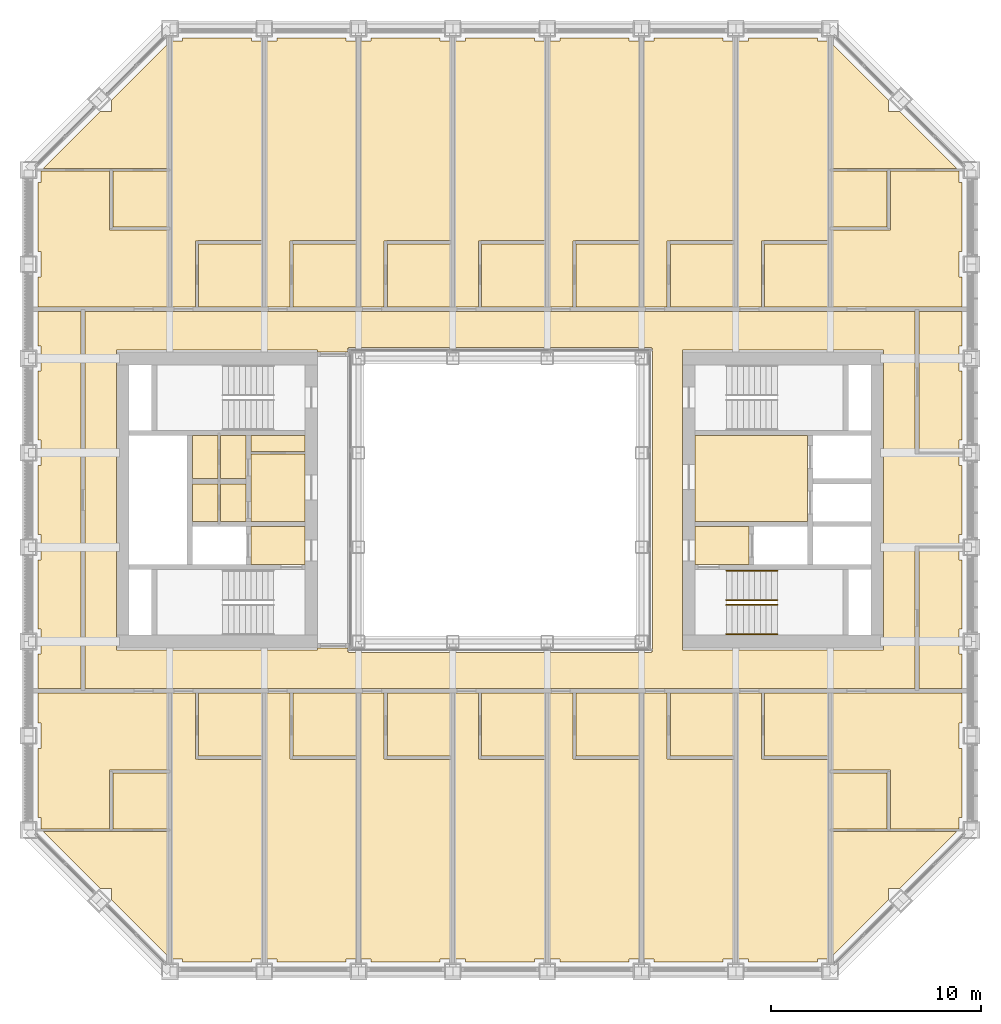
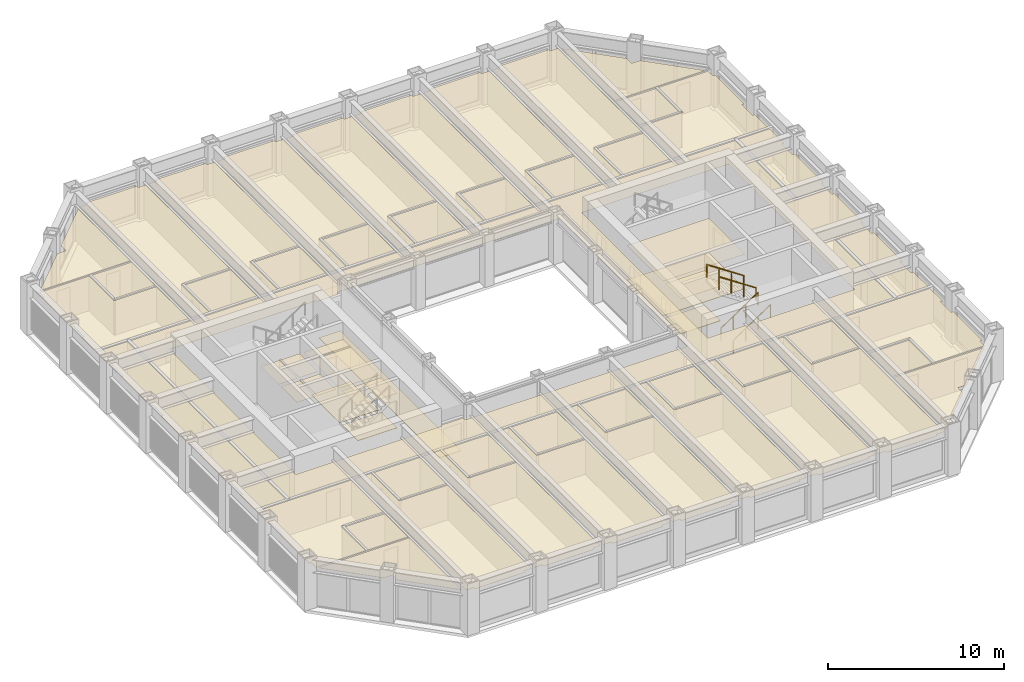
# One storey, part 17 of 18: 5 coverings, 4 railings.
"""IFC4 building model written with IfcOpenShell, lengths in metres."""

from ifc_helpers import new_model, si_unit, direction, frame, origin, origin_2d, place, context, subcontext, project, spatial, line, indexed_curve, circle, outline, extrude, material, layer, layer_set, type_object, element, save


model = new_model("IFC4")

# Units and contexts
model_context = context("Model", 3, precision=1e-05, world=origin(), true_north=direction((0.0, 1.0)))
body_context = subcontext(model_context, "Body", "Model", "MODEL_VIEW")
ifc_project = project(units=[si_unit("LENGTHUNIT", "METRE"), si_unit("AREAUNIT", "SQUARE_METRE"), si_unit("VOLUMEUNIT", "CUBIC_METRE"), si_unit("PLANEANGLEUNIT", "RADIAN"), si_unit("MASSUNIT", "GRAM", prefix="KILO")], contexts=[model_context])

# Site, building, storey
site_placement = place(None, origin())
site = spatial("IfcSite", under=ifc_project, at=site_placement, CompositionType="ELEMENT")
building_placement = place(site_placement, origin())
building = spatial("IfcBuilding", under=site, at=building_placement, Name="Msasa Ring Tower", CompositionType="ELEMENT")
storey_placement = place(building_placement, frame((0.0, 0.0, 122.0)))
storey = spatial("IfcBuildingStorey", under=building, at=storey_placement, Name="L31", CompositionType="ELEMENT", Elevation=122.0)

# Coverings
ifc_material_1 = material(Name="Gypsum plasterboard on a steel suspension grid", Category="steel")
ifc_layer_1 = layer(ifc_material_1, 0.014892578125)
ifc_layer_set_1 = layer_set([ifc_layer_1], Name="C1 SUSPENDED PLASTERBOARD CEILING 15")
covering_type_1 = type_object("IfcCoveringType", Name="C1 SUSPENDED PLASTERBOARD CEILING 15", PredefinedType="CEILING", material=ifc_layer_set_1)
covering_1_placement = place(storey_placement, frame((0.0, 0.0, 2.39990234375)))
element("IfcCovering", 1, at=covering_1_placement, inside=storey, type_object=covering_type_1, Name="Suspended Plasterboard Ceiling 15 circulation L31", PredefinedType="CEILING", context=body_context, shape_type="SweptSolid", body=[
    extrude(outline(indexed_curve([(19.799560546875, 2.199462890625), (21.8994140625, 2.199462890625), (21.8994140625, 1.6494140625), (22.049560546875, 1.6494140625), (22.049560546875, -1.6494140625), (21.8994140625, -1.6494140625), (21.8994140625, -2.199462890625), (19.799560546875, -2.199462890625), (19.799560546875, -8.99951171875), (-19.799560546875, -8.99951171875), (-19.799560546875, 8.99951171875), (19.799560546875, 8.99951171875)], segments=[line(1, 2, 3, 4, 5, 6, 7, 8, 9, 10, 11, 12, 1)], self_intersect=False), holes=[indexed_curve([(18.300537109375, -7.150390625), (18.300537109375, 7.150390625), (8.699462890625, 7.150390625), (8.699462890625, -7.150390625)], segments=[line(1, 2, 3, 4, 1)], self_intersect=False), indexed_curve([(-8.699462890625, 7.150390625), (-18.300537109375, 7.150390625), (-18.300537109375, -7.150390625), (-8.699462890625, -7.150390625), (-8.699462890625, -7.050537109375), (-7.280029296875, -7.050537109375), (-7.280517578125, -7.23046875), (-7.22998046875, -7.23046875), (-7.22998046875, -7.280029296875), (7.22998046875, -7.280029296875), (7.22998046875, -7.23046875), (7.280517578125, -7.23046875), (7.280517578125, 7.23046875), (7.22998046875, 7.23046875), (7.22998046875, 7.280029296875), (-7.22998046875, 7.280029296875), (-7.22998046875, 7.23046875), (-7.280517578125, 7.23046875), (-7.280029296875, 7.050537109375), (-8.699462890625, 7.050537109375)], segments=[line(1, 2, 3, 4, 5, 6, 7, 8, 9, 10, 11, 12, 13, 14, 15, 16, 17, 18, 19, 20, 1)], self_intersect=False)]), origin(), (0.0, 0.0, 1.0), 0.01513671875),
    extrude(outline(indexed_curve([(-9.300537109375, -3.074462890625), (-11.87451171875, -3.074462890625), (-11.87451171875, -1.275390625), (-9.300537109375, -1.275390625)], segments=[line(1, 2, 3, 4, 1)], self_intersect=False)), origin(), (0.0, 0.0, 1.0), 0.01513671875),
    extrude(outline(indexed_curve([(-11.87451171875, -1.0244140625), (-11.87451171875, 2.194580078125), (-9.300537109375, 2.194580078125), (-9.300537109375, -1.0244140625)], segments=[line(1, 2, 3, 4, 1)], self_intersect=False)), origin(), (0.0, 0.0, 1.0), 0.01513671875),
    extrude(outline(indexed_curve([(11.87451171875, -3.074462890625), (9.300537109375, -3.074462890625), (9.300537109375, -1.275390625), (11.87451171875, -1.275390625)], segments=[line(1, 2, 3, 4, 1)], self_intersect=False)), origin(), (0.0, 0.0, 1.0), 0.01513671875),
    extrude(outline(indexed_curve([(9.300537109375, -1.0244140625), (9.300537109375, 3.074462890625), (14.674560546875, 3.074462890625), (14.674560546875, -1.0244140625)], segments=[line(1, 2, 3, 4, 1)], self_intersect=False)), origin(), (0.0, 0.0, 1.0), 0.01513671875),
])
covering_2_placement = place(storey_placement, frame((0.0, 0.0, 2.407958984375)))
element("IfcCovering", 2, at=covering_2_placement, inside=storey, type_object=covering_type_1, Name="Suspended Plasterboard Ceiling 15 L31", PredefinedType="CEILING", context=body_context, shape_type="SweptSolid", body=[
    extrude(outline(indexed_curve([(-22.049560546875, -11.8505859375), (-21.8994140625, -11.8505859375), (-21.8994140625, -10.6494140625), (-22.049560546875, -10.6494140625), (-22.049560546875, -9.200439453125), (-15.8505859375, -9.200439453125), (-15.8505859375, -12.869384765625), (-18.630615234375, -12.869384765625), (-18.630615234375, -15.694580078125), (-21.8994140625, -15.694580078125), (-21.8994140625, -15.1494140625), (-22.049560546875, -15.1494140625)], segments=[line(1, 2, 3, 4, 5, 6, 7, 8, 9, 10, 11, 12, 1)], self_intersect=False)), origin(), (0.0, 0.0, 1.0), 0.01513671875),
    extrude(outline(indexed_curve([(-15.8505859375, 9.200439453125), (-22.049560546875, 9.200439453125), (-22.049560546875, 10.6494140625), (-21.8994140625, 10.6494140625), (-21.8994140625, 11.8505859375), (-22.049560546875, 11.8505859375), (-22.049560546875, 15.1494140625), (-21.8994140625, 15.1494140625), (-21.8994140625, 15.694580078125), (-18.630615234375, 15.694580078125), (-18.630615234375, 12.869384765625), (-15.8505859375, 12.869384765625)], segments=[line(1, 2, 3, 4, 5, 6, 7, 8, 9, 10, 11, 12, 1)], self_intersect=False)), origin(), (0.0, 0.0, 1.0), 0.01513671875),
    extrude(outline(indexed_curve([(-18.5244140625, -19.08837890625), (-18.5244140625, -18.5244140625), (-19.08837890625, -18.5244140625), (-21.807373046875, -15.805419921875), (-15.8505859375, -15.805419921875), (-15.8505859375, -21.762451171875)], segments=[line(1, 2, 3, 4, 5, 6, 1)], self_intersect=False)), origin(), (0.0, 0.0, 1.0), 0.01513671875),
    extrude(outline(indexed_curve([(-19.08837890625, 18.5244140625), (-18.5244140625, 18.5244140625), (-18.5244140625, 19.08837890625), (-15.8505859375, 21.762451171875), (-15.8505859375, 15.805419921875), (-21.807373046875, 15.805419921875)], segments=[line(1, 2, 3, 4, 5, 6, 1)], self_intersect=False)), origin(), (0.0, 0.0, 1.0), 0.01513671875),
    extrude(outline(indexed_curve([(-15.6494140625, -9.200439453125), (-14.525390625, -9.200439453125), (-14.525390625, -12.35009765625), (-14.39990234375, -12.3505859375), (-14.39990234375, -12.37548828125), (-11.3505859375, -12.37548828125), (-11.3505859375, -21.8994140625), (-11.8505859375, -21.8994140625), (-11.8505859375, -22.049560546875), (-15.1494140625, -22.049560546875), (-15.1494140625, -21.8994140625), (-15.6494140625, -21.8994140625)], segments=[line(1, 2, 3, 4, 5, 6, 7, 8, 9, 10, 11, 12, 1)], self_intersect=False)), origin(), (0.0, 0.0, 1.0), 0.01513671875),
    extrude(outline(indexed_curve([(-15.6494140625, 9.200439453125), (-15.6494140625, 21.8994140625), (-15.1494140625, 21.8994140625), (-15.1494140625, 22.049560546875), (-11.8505859375, 22.049560546875), (-11.8505859375, 21.8994140625), (-11.3505859375, 21.8994140625), (-11.3505859375, 12.37548828125), (-14.39990234375, 12.37548828125), (-14.39990234375, 12.3505859375), (-14.525390625, 12.35009765625), (-14.525390625, 9.200439453125)], segments=[line(1, 2, 3, 4, 5, 6, 7, 8, 9, 10, 11, 12, 1)], self_intersect=False)), origin(), (0.0, 0.0, 1.0), 0.01513671875),
    extrude(outline(indexed_curve([(-13.45556640625, -1.0244140625), (-14.674560546875, -1.0244140625), (-14.674560546875, 0.7744140625), (-13.45556640625, 0.7744140625)], segments=[line(1, 2, 3, 4, 1)], self_intersect=False)), origin(), (0.0, 0.0, 1.0), 0.01513671875),
    extrude(outline(indexed_curve([(-13.45556640625, 3.074462890625), (-13.45556640625, 1.025390625), (-14.674560546875, 1.025390625), (-14.674560546875, 3.074462890625)], segments=[line(1, 2, 3, 4, 1)], self_intersect=False)), origin(), (0.0, 0.0, 1.0), 0.01513671875),
    extrude(outline(indexed_curve([(-13.344482421875, 0.7744140625), (-12.12548828125, 0.7744140625), (-12.12548828125, -1.0244140625), (-13.344482421875, -1.0244140625)], segments=[line(1, 2, 3, 4, 1)], self_intersect=False)), origin(), (0.0, 0.0, 1.0), 0.01513671875),
    extrude(outline(indexed_curve([(-12.12548828125, 3.074462890625), (-12.12548828125, 1.025390625), (-13.344482421875, 1.025390625), (-13.344482421875, 3.074462890625)], segments=[line(1, 2, 3, 4, 1)], self_intersect=False)), origin(), (0.0, 0.0, 1.0), 0.01513671875),
    extrude(outline(indexed_curve([(-9.300537109375, 3.074462890625), (-9.300537109375, 2.305419921875), (-11.87451171875, 2.305419921875), (-11.87451171875, 3.074462890625)], segments=[line(1, 2, 3, 4, 1)], self_intersect=False)), origin(), (0.0, 0.0, 1.0), 0.01513671875),
    extrude(outline(indexed_curve([(-11.1494140625, -9.200439453125), (-10.025390625, -9.200439453125), (-10.025390625, -12.35009765625), (-9.89990234375, -12.3505859375), (-9.89990234375, -12.37548828125), (-6.8505859375, -12.37548828125), (-6.8505859375, -21.8994140625), (-7.3505859375, -21.8994140625), (-7.3505859375, -22.049560546875), (-10.6494140625, -22.049560546875), (-10.6494140625, -21.8994140625), (-11.1494140625, -21.8994140625)], segments=[line(1, 2, 3, 4, 5, 6, 7, 8, 9, 10, 11, 12, 1)], self_intersect=False)), origin(), (0.0, 0.0, 1.0), 0.01513671875),
    extrude(outline(indexed_curve([(-11.1494140625, 21.8994140625), (-10.6494140625, 21.8994140625), (-10.6494140625, 22.049560546875), (-7.3505859375, 22.049560546875), (-7.3505859375, 21.8994140625), (-6.8505859375, 21.8994140625), (-6.8505859375, 12.37548828125), (-9.89990234375, 12.37548828125), (-9.89990234375, 12.3505859375), (-10.025390625, 12.35009765625), (-10.025390625, 9.200439453125), (-11.1494140625, 9.200439453125)], segments=[line(1, 2, 3, 4, 5, 6, 7, 8, 9, 10, 11, 12, 1)], self_intersect=False)), origin(), (0.0, 0.0, 1.0), 0.01513671875),
    extrude(outline(indexed_curve([(-6.1494140625, -22.049560546875), (-6.1494140625, -21.8994140625), (-6.6494140625, -21.8994140625), (-6.6494140625, -9.200439453125), (-5.525390625, -9.200439453125), (-5.525390625, -12.35009765625), (-5.39990234375, -12.3505859375), (-5.39990234375, -12.37548828125), (-2.3505859375, -12.37548828125), (-2.3505859375, -21.8994140625), (-2.8505859375, -21.8994140625), (-2.8505859375, -22.049560546875)], segments=[line(1, 2, 3, 4, 5, 6, 7, 8, 9, 10, 11, 12, 1)], self_intersect=False)), origin(), (0.0, 0.0, 1.0), 0.01513671875),
    extrude(outline(indexed_curve([(-6.6494140625, 21.8994140625), (-6.1494140625, 21.8994140625), (-6.1494140625, 22.049560546875), (-2.8505859375, 22.049560546875), (-2.8505859375, 21.8994140625), (-2.3505859375, 21.8994140625), (-2.3505859375, 12.37548828125), (-5.39990234375, 12.37548828125), (-5.39990234375, 12.3505859375), (-5.525390625, 12.35009765625), (-5.525390625, 9.200439453125), (-6.6494140625, 9.200439453125)], segments=[line(1, 2, 3, 4, 5, 6, 7, 8, 9, 10, 11, 12, 1)], self_intersect=False)), origin(), (0.0, 0.0, 1.0), 0.01513671875),
    extrude(outline(indexed_curve([(-2.1494140625, -9.200439453125), (-1.025390625, -9.200439453125), (-1.025390625, -12.35009765625), (-0.89990234375, -12.3505859375), (-0.89990234375, -12.37548828125), (2.1494140625, -12.37548828125), (2.1494140625, -21.8994140625), (1.6494140625, -21.8994140625), (1.6494140625, -22.049560546875), (-1.6494140625, -22.049560546875), (-1.6494140625, -21.8994140625), (-2.1494140625, -21.8994140625)], segments=[line(1, 2, 3, 4, 5, 6, 7, 8, 9, 10, 11, 12, 1)], self_intersect=False)), origin(), (0.0, 0.0, 1.0), 0.01513671875),
    extrude(outline(indexed_curve([(-2.1494140625, 21.8994140625), (-1.6494140625, 21.8994140625), (-1.6494140625, 22.049560546875), (1.6494140625, 22.049560546875), (1.6494140625, 21.8994140625), (2.1494140625, 21.8994140625), (2.1494140625, 12.37548828125), (-0.89990234375, 12.37548828125), (-0.89990234375, 12.3505859375), (-1.025390625, 12.35009765625), (-1.025390625, 9.200439453125), (-2.1494140625, 9.200439453125)], segments=[line(1, 2, 3, 4, 5, 6, 7, 8, 9, 10, 11, 12, 1)], self_intersect=False)), origin(), (0.0, 0.0, 1.0), 0.01513671875),
    extrude(outline(indexed_curve([(2.3505859375, -9.200439453125), (3.474609375, -9.200439453125), (3.474609375, -12.35009765625), (3.60009765625, -12.3505859375), (3.60009765625, -12.37548828125), (6.6494140625, -12.37548828125), (6.6494140625, -21.8994140625), (6.1494140625, -21.8994140625), (6.1494140625, -22.049560546875), (2.8505859375, -22.049560546875), (2.8505859375, -21.8994140625), (2.3505859375, -21.8994140625)], segments=[line(1, 2, 3, 4, 5, 6, 7, 8, 9, 10, 11, 12, 1)], self_intersect=False)), origin(), (0.0, 0.0, 1.0), 0.01513671875),
    extrude(outline(indexed_curve([(2.3505859375, 21.8994140625), (2.8505859375, 21.8994140625), (2.8505859375, 22.049560546875), (6.1494140625, 22.049560546875), (6.1494140625, 21.8994140625), (6.6494140625, 21.8994140625), (6.6494140625, 12.37548828125), (3.60009765625, 12.37548828125), (3.60009765625, 12.3505859375), (3.474609375, 12.35009765625), (3.474609375, 9.200439453125), (2.3505859375, 9.200439453125)], segments=[line(1, 2, 3, 4, 5, 6, 7, 8, 9, 10, 11, 12, 1)], self_intersect=False)), origin(), (0.0, 0.0, 1.0), 0.01513671875),
    extrude(outline(indexed_curve([(6.8505859375, -9.200439453125), (7.974609375, -9.200439453125), (7.974609375, -12.35009765625), (8.10009765625, -12.3505859375), (8.10009765625, -12.37548828125), (11.1494140625, -12.37548828125), (11.1494140625, -21.8994140625), (10.6494140625, -21.8994140625), (10.6494140625, -22.049560546875), (7.3505859375, -22.049560546875), (7.3505859375, -21.8994140625), (6.8505859375, -21.8994140625)], segments=[line(1, 2, 3, 4, 5, 6, 7, 8, 9, 10, 11, 12, 1)], self_intersect=False)), origin(), (0.0, 0.0, 1.0), 0.01513671875),
    extrude(outline(indexed_curve([(6.8505859375, 21.8994140625), (7.3505859375, 21.8994140625), (7.3505859375, 22.049560546875), (10.6494140625, 22.049560546875), (10.6494140625, 21.8994140625), (11.1494140625, 21.8994140625), (11.1494140625, 12.37548828125), (8.10009765625, 12.37548828125), (8.10009765625, 12.3505859375), (7.974609375, 12.35009765625), (7.974609375, 9.200439453125), (6.8505859375, 9.200439453125)], segments=[line(1, 2, 3, 4, 5, 6, 7, 8, 9, 10, 11, 12, 1)], self_intersect=False)), origin(), (0.0, 0.0, 1.0), 0.01513671875),
    extrude(outline(indexed_curve([(11.8505859375, -22.049560546875), (11.8505859375, -21.8994140625), (11.3505859375, -21.8994140625), (11.3505859375, -9.200439453125), (12.474609375, -9.200439453125), (12.474609375, -12.35009765625), (12.60009765625, -12.3505859375), (12.60009765625, -12.37548828125), (15.6494140625, -12.37548828125), (15.6494140625, -21.8994140625), (15.1494140625, -21.8994140625), (15.1494140625, -22.049560546875)], segments=[line(1, 2, 3, 4, 5, 6, 7, 8, 9, 10, 11, 12, 1)], self_intersect=False)), origin(), (0.0, 0.0, 1.0), 0.01513671875),
    extrude(outline(indexed_curve([(11.3505859375, 9.200439453125), (11.3505859375, 21.8994140625), (11.8505859375, 21.8994140625), (11.8505859375, 22.049560546875), (15.1494140625, 22.049560546875), (15.1494140625, 21.8994140625), (15.6494140625, 21.8994140625), (15.6494140625, 12.37548828125), (12.60009765625, 12.37548828125), (12.60009765625, 12.3505859375), (12.474609375, 12.35009765625), (12.474609375, 9.200439453125)], segments=[line(1, 2, 3, 4, 5, 6, 7, 8, 9, 10, 11, 12, 1)], self_intersect=False)), origin(), (0.0, 0.0, 1.0), 0.01513671875),
    extrude(outline(indexed_curve([(15.8505859375, -15.805419921875), (21.807373046875, -15.805419921875), (19.08837890625, -18.5244140625), (18.5244140625, -18.5244140625), (18.5244140625, -19.08837890625), (15.8505859375, -21.762451171875)], segments=[line(1, 2, 3, 4, 5, 6, 1)], self_intersect=False)), origin(), (0.0, 0.0, 1.0), 0.01513671875),
    extrude(outline(indexed_curve([(15.8505859375, -9.200439453125), (22.049560546875, -9.200439453125), (22.049560546875, -10.6494140625), (21.8994140625, -10.6494140625), (21.8994140625, -11.8505859375), (22.049560546875, -11.8505859375), (22.049560546875, -15.1494140625), (21.8994140625, -15.1494140625), (21.8994140625, -15.694580078125), (18.630615234375, -15.694580078125), (18.630615234375, -12.869384765625), (15.8505859375, -12.869384765625)], segments=[line(1, 2, 3, 4, 5, 6, 7, 8, 9, 10, 11, 12, 1)], self_intersect=False)), origin(), (0.0, 0.0, 1.0), 0.01513671875),
    extrude(outline(indexed_curve([(22.049560546875, 11.8505859375), (21.8994140625, 11.8505859375), (21.8994140625, 10.6494140625), (22.049560546875, 10.6494140625), (22.049560546875, 9.200439453125), (15.8505859375, 9.200439453125), (15.8505859375, 12.869384765625), (18.630615234375, 12.869384765625), (18.630615234375, 15.694580078125), (21.8994140625, 15.694580078125), (21.8994140625, 15.1494140625), (22.049560546875, 15.1494140625)], segments=[line(1, 2, 3, 4, 5, 6, 7, 8, 9, 10, 11, 12, 1)], self_intersect=False)), origin(), (0.0, 0.0, 1.0), 0.01513671875),
    extrude(outline(indexed_curve([(15.8505859375, 15.805419921875), (15.8505859375, 21.762451171875), (18.5244140625, 19.08837890625), (18.5244140625, 18.5244140625), (19.08837890625, 18.5244140625), (21.807373046875, 15.805419921875)], segments=[line(1, 2, 3, 4, 5, 6, 1)], self_intersect=False)), origin(), (0.0, 0.0, 1.0), 0.01513671875),
])
ifc_material_2 = material(Name="Moisture-resistant gypsum plasterboard on a steel suspension grid", Category="steel")
ifc_layer_2 = layer(ifc_material_2, 0.014892578125)
ifc_layer_set_2 = layer_set([ifc_layer_2], Name="C2 MOISTURE-RESISTANT PLASTERBOARD CEILING 15")
covering_type_2 = type_object("IfcCoveringType", Name="C2 MOISTURE-RESISTANT PLASTERBOARD CEILING 15", PredefinedType="CEILING", material=ifc_layer_set_2)
covering_3_placement = place(storey_placement, frame((0.0, 0.0, 2.39990234375)))
element("IfcCovering", 3, at=covering_3_placement, inside=storey, type_object=covering_type_2, Name="Moisture-Resistant Plasterboard Ceiling 15 L31", PredefinedType="CEILING", context=body_context, shape_type="SweptSolid", body=[
    extrude(outline(indexed_curve([(-18.469482421875, -13.030517578125), (-15.8505859375, -13.030517578125), (-15.8505859375, -15.694580078125), (-18.469482421875, -15.694580078125)], segments=[line(1, 2, 3, 4, 1)], self_intersect=False)), origin(), (0.0, 0.0, 1.0), 0.01513671875),
    extrude(outline(indexed_curve([(-15.8505859375, 15.694580078125), (-15.8505859375, 13.030517578125), (-18.469482421875, 13.030517578125), (-18.469482421875, 15.694580078125)], segments=[line(1, 2, 3, 4, 1)], self_intersect=False)), origin(), (0.0, 0.0, 1.0), 0.01513671875),
    extrude(outline(indexed_curve([(-11.3505859375, -9.200439453125), (-11.3505859375, -12.224609375), (-14.37451171875, -12.224609375), (-14.37451171875, -9.200439453125)], segments=[line(1, 2, 3, 4, 1)], self_intersect=False)), origin(), (0.0, 0.0, 1.0), 0.01513671875),
    extrude(outline(indexed_curve([(-11.3505859375, 9.200439453125), (-14.37451171875, 9.200439453125), (-14.37451171875, 12.224609375), (-11.3505859375, 12.224609375)], segments=[line(1, 2, 3, 4, 1)], self_intersect=False)), origin(), (0.0, 0.0, 1.0), 0.01513671875),
    extrude(outline(indexed_curve([(-6.8505859375, -9.200439453125), (-6.8505859375, -12.224609375), (-9.87451171875, -12.224609375), (-9.87451171875, -9.200439453125)], segments=[line(1, 2, 3, 4, 1)], self_intersect=False)), origin(), (0.0, 0.0, 1.0), 0.01513671875),
    extrude(outline(indexed_curve([(-6.8505859375, 9.200439453125), (-9.87451171875, 9.200439453125), (-9.87451171875, 12.224609375), (-6.8505859375, 12.224609375)], segments=[line(1, 2, 3, 4, 1)], self_intersect=False)), origin(), (0.0, 0.0, 1.0), 0.01513671875),
    extrude(outline(indexed_curve([(-2.3505859375, -9.200439453125), (-2.3505859375, -12.224609375), (-5.37451171875, -12.224609375), (-5.37451171875, -9.200439453125)], segments=[line(1, 2, 3, 4, 1)], self_intersect=False)), origin(), (0.0, 0.0, 1.0), 0.01513671875),
    extrude(outline(indexed_curve([(-2.3505859375, 9.200439453125), (-5.37451171875, 9.200439453125), (-5.37451171875, 12.224609375), (-2.3505859375, 12.224609375)], segments=[line(1, 2, 3, 4, 1)], self_intersect=False)), origin(), (0.0, 0.0, 1.0), 0.01513671875),
    extrude(outline(indexed_curve([(2.1494140625, -9.200439453125), (2.1494140625, -12.224609375), (-0.87451171875, -12.224609375), (-0.87451171875, -9.200439453125)], segments=[line(1, 2, 3, 4, 1)], self_intersect=False)), origin(), (0.0, 0.0, 1.0), 0.01513671875),
    extrude(outline(indexed_curve([(2.1494140625, 9.200439453125), (-0.87451171875, 9.200439453125), (-0.87451171875, 12.224609375), (2.1494140625, 12.224609375)], segments=[line(1, 2, 3, 4, 1)], self_intersect=False)), origin(), (0.0, 0.0, 1.0), 0.01513671875),
    extrude(outline(indexed_curve([(6.6494140625, -9.200439453125), (6.6494140625, -12.224609375), (3.62548828125, -12.224609375), (3.62548828125, -9.200439453125)], segments=[line(1, 2, 3, 4, 1)], self_intersect=False)), origin(), (0.0, 0.0, 1.0), 0.01513671875),
    extrude(outline(indexed_curve([(6.6494140625, 9.200439453125), (3.62548828125, 9.200439453125), (3.62548828125, 12.224609375), (6.6494140625, 12.224609375)], segments=[line(1, 2, 3, 4, 1)], self_intersect=False)), origin(), (0.0, 0.0, 1.0), 0.01513671875),
    extrude(outline(indexed_curve([(11.1494140625, -9.200439453125), (11.1494140625, -12.224609375), (8.12548828125, -12.224609375), (8.12548828125, -9.200439453125)], segments=[line(1, 2, 3, 4, 1)], self_intersect=False)), origin(), (0.0, 0.0, 1.0), 0.01513671875),
    extrude(outline(indexed_curve([(11.1494140625, 9.200439453125), (8.12548828125, 9.200439453125), (8.12548828125, 12.224609375), (11.1494140625, 12.224609375)], segments=[line(1, 2, 3, 4, 1)], self_intersect=False)), origin(), (0.0, 0.0, 1.0), 0.01513671875),
    extrude(outline(indexed_curve([(15.6494140625, -9.200439453125), (15.6494140625, -12.224609375), (12.62548828125, -12.224609375), (12.62548828125, -9.200439453125)], segments=[line(1, 2, 3, 4, 1)], self_intersect=False)), origin(), (0.0, 0.0, 1.0), 0.01513671875),
    extrude(outline(indexed_curve([(15.6494140625, 9.200439453125), (12.62548828125, 9.200439453125), (12.62548828125, 12.224609375), (15.6494140625, 12.224609375)], segments=[line(1, 2, 3, 4, 1)], self_intersect=False)), origin(), (0.0, 0.0, 1.0), 0.01513671875),
    extrude(outline(indexed_curve([(15.8505859375, -13.030517578125), (18.469482421875, -13.030517578125), (18.469482421875, -15.694580078125), (15.8505859375, -15.694580078125)], segments=[line(1, 2, 3, 4, 1)], self_intersect=False)), origin(), (0.0, 0.0, 1.0), 0.01513671875),
    extrude(outline(indexed_curve([(18.469482421875, 15.694580078125), (18.469482421875, 13.030517578125), (15.8505859375, 13.030517578125), (15.8505859375, 15.694580078125)], segments=[line(1, 2, 3, 4, 1)], self_intersect=False)), origin(), (0.0, 0.0, 1.0), 0.01513671875),
])
ifc_material_3 = material(Name="Mineral fibre ceiling tiles on an exposed steel grid", Category="steel")
ifc_layer_3 = layer(ifc_material_3, 0.02001953125)
ifc_layer_set_3 = layer_set([ifc_layer_3], Name="C3 ACOUSTIC MINERAL FIBRE TILE CEILING 20")
covering_type_3 = type_object("IfcCoveringType", Name="C3 ACOUSTIC MINERAL FIBRE TILE CEILING 20", PredefinedType="CEILING", material=ifc_layer_set_3)
covering_4_placement = place(storey_placement, frame((0.0, 0.0, 2.408935546875)))
element("IfcCovering", 4, at=covering_4_placement, inside=storey, type_object=covering_type_3, Name="Acoustic Mineral Fibre Tile Ceiling 20 L31", PredefinedType="CEILING", context=body_context, shape_type="SweptSolid", body=[
    extrude(outline(indexed_curve([(-22.049560546875, -7.3505859375), (-21.8994140625, -7.3505859375), (-21.8994140625, -6.1494140625), (-22.049560546875, -6.1494140625), (-22.049560546875, -2.8505859375), (-21.8994140625, -2.8505859375), (-21.8994140625, -1.6494140625), (-22.049560546875, -1.6494140625), (-22.049560546875, 1.6494140625), (-21.8994140625, 1.6494140625), (-21.8994140625, 2.8505859375), (-22.049560546875, 2.8505859375), (-22.049560546875, 6.1494140625), (-21.8994140625, 6.1494140625), (-21.8994140625, 7.3505859375), (-22.049560546875, 7.3505859375), (-22.049560546875, 8.99951171875), (-20.00048828125, 8.99951171875), (-20.00048828125, -8.99951171875), (-22.049560546875, -8.99951171875)], segments=[line(1, 2, 3, 4, 5, 6, 7, 8, 9, 10, 11, 12, 13, 14, 15, 16, 17, 18, 19, 20, 1)], self_intersect=False)), origin(), (0.0, 0.0, 1.0), 0.02001953125),
    extrude(outline(indexed_curve([(20.00048828125, -2.305419921875), (21.8994140625, -2.305419921875), (21.8994140625, -2.8505859375), (22.049560546875, -2.8505859375), (22.049560546875, -6.1494140625), (21.8994140625, -6.1494140625), (21.8994140625, -7.3505859375), (22.049560546875, -7.3505859375), (22.049560546875, -8.99951171875), (20.00048828125, -8.99951171875)], segments=[line(1, 2, 3, 4, 5, 6, 7, 8, 9, 10, 1)], self_intersect=False)), origin(), (0.0, 0.0, 1.0), 0.02001953125),
    extrude(outline(indexed_curve([(22.049560546875, 8.99951171875), (22.049560546875, 7.3505859375), (21.8994140625, 7.3505859375), (21.8994140625, 6.1494140625), (22.049560546875, 6.1494140625), (22.049560546875, 2.8505859375), (21.8994140625, 2.8505859375), (21.8994140625, 2.305419921875), (20.00048828125, 2.305419921875), (20.00048828125, 8.99951171875)], segments=[line(1, 2, 3, 4, 5, 6, 7, 8, 9, 10, 1)], self_intersect=False)), origin(), (0.0, 0.0, 1.0), 0.02001953125),
])
ifc_material_4 = material(Name="Honed granite tiles on a mortar bed", Category="masonry")
ifc_layer_4 = layer(ifc_material_4, 0.030029296875)
ifc_layer_set_4 = layer_set([ifc_layer_4], Name="F1 HONED GRANITE ON BEDDING 30")
covering_type_4 = type_object("IfcCoveringType", Name="F1 HONED GRANITE ON BEDDING 30", PredefinedType="FLOORING", material=ifc_layer_set_4)
covering_5_placement = place(storey_placement, origin())
element("IfcCovering", 5, at=covering_5_placement, inside=storey, type_object=covering_type_4, Name="Honed Granite On Bedding 30 L31", PredefinedType="FLOORING", context=body_context, shape_type="SweptSolid", body=[
    extrude(outline(indexed_curve([(-11.87451171875, -3.074462890625), (-11.87451171875, -1.275390625), (-9.300537109375, -1.275390625), (-9.300537109375, -3.074462890625)], segments=[line(1, 2, 3, 4, 1)], self_intersect=False)), origin(), (0.0, 0.0, 1.0), 0.030029296875),
    extrude(outline(indexed_curve([(-11.87451171875, 2.194580078125), (-9.300537109375, 2.194580078125), (-9.300537109375, -1.0244140625), (-11.87451171875, -1.0244140625)], segments=[line(1, 2, 3, 4, 1)], self_intersect=False)), origin(), (0.0, 0.0, 1.0), 0.030029296875),
    extrude(outline(indexed_curve([(-8.699462890625, -6.849609375), (-8.699462890625, 6.849609375), (-7.280029296875, 6.849609375), (-7.280029296875, -6.849609375)], segments=[line(1, 2, 3, 4, 1)], self_intersect=False)), origin(), (0.0, 0.0, 1.0), 0.030029296875),
    extrude(outline(indexed_curve([(9.300537109375, -3.074462890625), (9.300537109375, -1.275390625), (11.87451171875, -1.275390625), (11.87451171875, -3.074462890625)], segments=[line(1, 2, 3, 4, 1)], self_intersect=False)), origin(), (0.0, 0.0, 1.0), 0.030029296875),
    extrude(outline(indexed_curve([(9.300537109375, 3.074462890625), (14.674560546875, 3.074462890625), (14.674560546875, -1.0244140625), (9.300537109375, -1.0244140625)], segments=[line(1, 2, 3, 4, 1)], self_intersect=False)), origin(), (0.0, 0.0, 1.0), 0.030029296875),
])

# Railings
ifc_material_5 = material(Name="Stainless steel", Category="steel")
railing_type = type_object("IfcRailingType", Name="HR1 HANDRAIL 900", PredefinedType="HANDRAIL", material=ifc_material_5)
for number, where, name in (
    (6, (10.800048828125, -6.39990234375, 0.179931640625), "Handrail stair SEA L31 1"),
    (7, (10.800048828125, -5.0, 0.179931640625), "Handrail stair SEA L31 2"),
):
    element("IfcRailing", number, at=place(storey_placement, frame(where)), inside=storey, type_object=railing_type, Name=name, PredefinedType="HANDRAIL", context=body_context, shape_type="SweptSolid", body=[
        extrude(circle(Radius=0.02392578125, at=origin_2d()), frame((0.0, 0.0, 0.8759765625), z_axis=(0.832024571796, 0.0, 0.554738778101), x_axis=(0.0, 1.0, 0.0)), (0.0, 0.0, 1.0), 2.92041015625),
        extrude(circle(Radius=0.02099609375, at=origin_2d()), origin(), (0.0, 0.0, 1.0), 0.851806640625),
        extrude(circle(Radius=0.02099609375, at=origin_2d()), frame((0.81005859375, 0.0, 0.5400390625)), (0.0, 0.0, 1.0), 0.851806640625),
        extrude(circle(Radius=0.02099609375, at=origin_2d()), frame((1.619873046875, 0.0, 1.080078125)), (0.0, 0.0, 1.0), 0.851806640625),
        extrude(circle(Radius=0.02099609375, at=origin_2d()), frame((2.429931640625, 0.0, 1.6201171875)), (0.0, 0.0, 1.0), 0.851806640625),
    ])
for number, where, name in (
    (8, (13.22998046875, -4.77490234375, 1.97998046875), "Handrail stair SEA L31 3"),
    (9, (13.22998046875, -3.375, 1.97998046875), "Handrail stair SEA L31 4"),
):
    element("IfcRailing", number, at=place(storey_placement, frame(where)), inside=storey, type_object=railing_type, Name=name, PredefinedType="HANDRAIL", context=body_context, shape_type="SweptSolid", body=[
        extrude(circle(Radius=0.02392578125, at=origin_2d()), frame((0.0, 0.0, 0.8759765625), z_axis=(-0.832024571796, 0.0, 0.554738778101), x_axis=(0.0, -1.0, 0.0)), (0.0, 0.0, 1.0), 2.92041015625),
        extrude(circle(Radius=0.02099609375, at=origin_2d()), origin(), (0.0, 0.0, 1.0), 0.851806640625),
        extrude(circle(Radius=0.02099609375, at=origin_2d()), frame((-0.81005859375, 0.0, 0.5400390625)), (0.0, 0.0, 1.0), 0.851806640625),
        extrude(circle(Radius=0.02099609375, at=origin_2d()), frame((-1.619873046875, 0.0, 1.080078125)), (0.0, 0.0, 1.0), 0.851806640625),
        extrude(circle(Radius=0.02099609375, at=origin_2d()), frame((-2.429931640625, 0.0, 1.6201171875)), (0.0, 0.0, 1.0), 0.851806640625),
    ])

save(model, "model.ifc")
